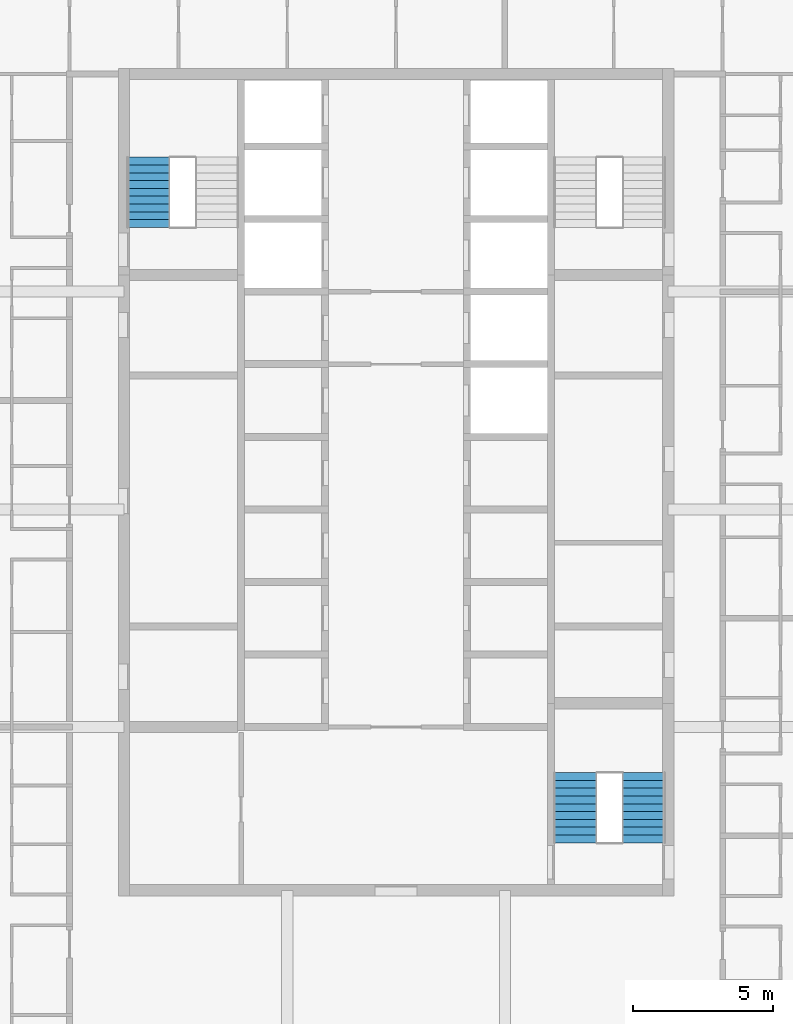
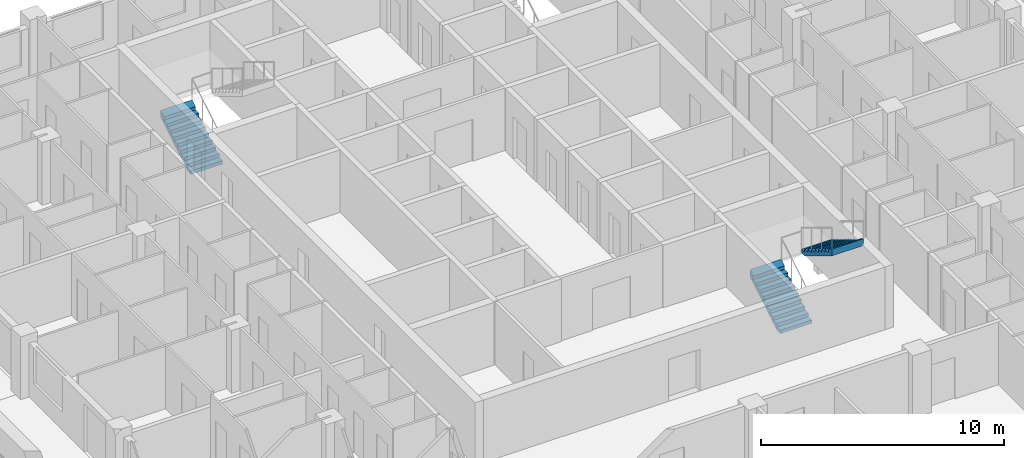
# One storey, part 13 of 16: 3 stair flights, 2 elements without a shape of their own.
"""IFC4 building model written with IfcOpenShell, lengths in metres."""

from ifc_helpers import new_model, si_unit, direction, frame, origin, place, context, subcontext, project, spatial, triangles, material, type_object, element, aggregate, save


model = new_model("IFC4")

# Units and contexts
model_context = context("Model", 3, precision=1e-05, world=origin(), true_north=direction((0.0, 1.0)))
body_context = subcontext(model_context, "Body", "Model", "MODEL_VIEW")
ifc_project = project(units=[si_unit("LENGTHUNIT", "METRE"), si_unit("AREAUNIT", "SQUARE_METRE"), si_unit("VOLUMEUNIT", "CUBIC_METRE"), si_unit("PLANEANGLEUNIT", "RADIAN"), si_unit("MASSUNIT", "GRAM", prefix="KILO")], contexts=[model_context])

# Site, building, storey
site_placement = place(None, origin())
site = spatial("IfcSite", under=ifc_project, at=site_placement, CompositionType="ELEMENT")
building_placement = place(site_placement, origin())
building = spatial("IfcBuilding", under=site, at=building_placement, Name="Ludao Terraces", CompositionType="ELEMENT")
storey_placement = place(building_placement, frame((0.0, 0.0, 214.300048828125)))
storey = spatial("IfcBuildingStorey", under=building, at=storey_placement, Name="L58", CompositionType="ELEMENT", Elevation=214.300048828125)

# Stair, stair flight
ifc_material = material(Name="Concrete C40", Category="concrete")
stair_type = type_object("IfcStairType", Name="INT Stair", PredefinedType="HALF_TURN_STAIR", material=ifc_material)
stair_1_placement = place(storey_placement, origin())
stair_1 = element("IfcStair", 1, at=stair_1_placement, inside=storey, type_object=stair_type, Name="EXIT STAIR 1", PredefinedType="HALF_TURN_STAIR")
stair_flight_type = type_object("IfcStairFlightType", Name="INT Stair flight", PredefinedType="STRAIGHT", material=ifc_material)
stair_flight_1_placement = place(storey_placement, frame((76.125, 79.0, 0.0), z_axis=(0.0, 0.0, 1.0), x_axis=(0.0, 1.0, 0.0)))
stair_flight_1 = element("IfcStairFlight", 2, at=stair_flight_1_placement, type_object=stair_flight_type, Name="ST1 flight 1", NumberOfRisers=10, NumberOfTreads=9, PredefinedType="STRAIGHT", RiserHeight=0.17, TreadLength=0.28, context=body_context, shape_type="Tessellation", body=[
    triangles([(0.0, -0.75, 0.0), (0.0, -0.5, 0.0), (0.0, -0.25, 0.0), (0.0, 0.0, 0.0), (0.0, 0.25, 0.0), (0.0, 0.5, 0.0), (0.0, 0.75, 0.0), (0.0, -0.75, 0.169921875), (0.0, -0.5, 0.169921875), (0.0, -0.25, 0.169921875), (0.0, 0.0, 0.169921875), (0.0, 0.25, 0.169921875), (0.0, 0.5, 0.169921875), (0.0, 0.75, 0.169921875), (0.280029296875, -0.75, 0.169921875), (0.280029296875, -0.5, 0.169921875), (0.280029296875, -0.25, 0.169921875), (0.280029296875, 0.0, 0.169921875), (0.280029296875, 0.25, 0.169921875), (0.280029296875, 0.5, 0.169921875), (0.280029296875, 0.75, 0.169921875), (0.280029296875, -0.75, 0.340087890625), (0.280029296875, -0.5, 0.340087890625), (0.280029296875, -0.25, 0.340087890625), (0.280029296875, 0.0, 0.340087890625), (0.280029296875, 0.25, 0.340087890625), (0.280029296875, 0.5, 0.340087890625), (0.280029296875, 0.75, 0.340087890625), (0.56005859375, -0.75, 0.340087890625), (0.56005859375, -0.5, 0.340087890625), (0.56005859375, -0.25, 0.340087890625), (0.56005859375, 0.0, 0.340087890625), (0.56005859375, 0.25, 0.340087890625), (0.56005859375, 0.5, 0.340087890625), (0.56005859375, 0.75, 0.340087890625), (0.56005859375, -0.75, 0.510009765625), (0.56005859375, -0.5, 0.510009765625), (0.56005859375, -0.25, 0.510009765625), (0.56005859375, 0.0, 0.510009765625), (0.56005859375, 0.25, 0.510009765625), (0.56005859375, 0.5, 0.510009765625), (0.56005859375, 0.75, 0.510009765625), (0.840087890625, -0.75, 0.510009765625), (0.840087890625, -0.5, 0.510009765625), (0.840087890625, -0.25, 0.510009765625), (0.840087890625, 0.0, 0.510009765625), (0.840087890625, 0.25, 0.510009765625), (0.840087890625, 0.5, 0.510009765625), (0.840087890625, 0.75, 0.510009765625), (0.840087890625, -0.75, 0.679931640625), (0.840087890625, -0.5, 0.679931640625), (0.840087890625, -0.25, 0.679931640625), (0.840087890625, 0.0, 0.679931640625), (0.840087890625, 0.25, 0.679931640625), (0.840087890625, 0.5, 0.679931640625), (0.840087890625, 0.75, 0.679931640625), (1.1201171875, -0.75, 0.679931640625), (1.1201171875, -0.5, 0.679931640625), (1.1201171875, -0.25, 0.679931640625), (1.1201171875, 0.0, 0.679931640625), (1.1201171875, 0.25, 0.679931640625), (1.1201171875, 0.5, 0.679931640625), (1.1201171875, 0.75, 0.679931640625), (1.1201171875, -0.75, 0.85009765625), (1.1201171875, -0.5, 0.85009765625), (1.1201171875, -0.25, 0.85009765625), (1.1201171875, 0.0, 0.85009765625), (1.1201171875, 0.25, 0.85009765625), (1.1201171875, 0.5, 0.85009765625), (1.1201171875, 0.75, 0.85009765625), (1.39990234375, -0.75, 0.85009765625), (1.39990234375, -0.5, 0.85009765625), (1.39990234375, -0.25, 0.85009765625), (1.39990234375, 0.0, 0.85009765625), (1.39990234375, 0.25, 0.85009765625), (1.39990234375, 0.5, 0.85009765625), (1.39990234375, 0.75, 0.85009765625), (1.39990234375, -0.75, 1.02001953125), (1.39990234375, -0.5, 1.02001953125), (1.39990234375, -0.25, 1.02001953125), (1.39990234375, 0.0, 1.02001953125), (1.39990234375, 0.25, 1.02001953125), (1.39990234375, 0.5, 1.02001953125), (1.39990234375, 0.75, 1.02001953125), (1.679931640625, -0.75, 1.02001953125), (1.679931640625, -0.5, 1.02001953125), (1.679931640625, -0.25, 1.02001953125), (1.679931640625, 0.0, 1.02001953125), (1.679931640625, 0.25, 1.02001953125), (1.679931640625, 0.5, 1.02001953125), (1.679931640625, 0.75, 1.02001953125), (1.679931640625, -0.75, 1.18994140625), (1.679931640625, -0.5, 1.18994140625), (1.679931640625, -0.25, 1.18994140625), (1.679931640625, 0.0, 1.18994140625), (1.679931640625, 0.25, 1.18994140625), (1.679931640625, 0.5, 1.18994140625), (1.679931640625, 0.75, 1.18994140625), (1.9599609375, -0.75, 1.18994140625), (1.9599609375, -0.5, 1.18994140625), (1.9599609375, -0.25, 1.18994140625), (1.9599609375, 0.0, 1.18994140625), (1.9599609375, 0.25, 1.18994140625), (1.9599609375, 0.5, 1.18994140625), (1.9599609375, 0.75, 1.18994140625), (1.9599609375, -0.75, 1.360107421875), (1.9599609375, -0.5, 1.360107421875), (1.9599609375, -0.25, 1.360107421875), (1.9599609375, 0.0, 1.360107421875), (1.9599609375, 0.25, 1.360107421875), (1.9599609375, 0.5, 1.360107421875), (1.9599609375, 0.75, 1.360107421875), (2.239990234375, -0.75, 1.360107421875), (2.239990234375, -0.5, 1.360107421875), (2.239990234375, -0.25, 1.360107421875), (2.239990234375, 0.0, 1.360107421875), (2.239990234375, 0.25, 1.360107421875), (2.239990234375, 0.5, 1.360107421875), (2.239990234375, 0.75, 1.360107421875), (2.239990234375, -0.75, 1.530029296875), (2.239990234375, -0.5, 1.530029296875), (2.239990234375, -0.25, 1.530029296875), (2.239990234375, 0.0, 1.530029296875), (2.239990234375, 0.25, 1.530029296875), (2.239990234375, 0.5, 1.530029296875), (2.239990234375, 0.75, 1.530029296875), (2.52001953125, -0.75, 1.699951171875), (2.52001953125, -0.5, 1.699951171875), (2.52001953125, -0.25, 1.699951171875), (2.52001953125, 0.0, 1.699951171875), (2.52001953125, 0.25, 1.699951171875), (2.52001953125, 0.5, 1.699951171875), (2.52001953125, 0.75, 1.699951171875), (2.52001953125, -0.75, 1.354736328125), (2.52001953125, -0.5, 1.354736328125), (2.52001953125, -0.25, 1.354736328125), (2.52001953125, 0.0, 1.354736328125), (2.52001953125, 0.25, 1.354736328125), (2.52001953125, 0.5, 1.354736328125), (2.52001953125, 0.75, 1.354736328125), (0.288818359375, -0.75, 0.0), (0.288818359375, -0.5, 0.0), (0.288818359375, -0.25, 0.0), (0.288818359375, 0.0, 0.0), (0.288818359375, 0.25, 0.0), (0.288818359375, 0.5, 0.0), (0.288818359375, 0.75, 0.0)], [[1, 141, 134], [7, 140, 147], [134, 127, 120], [140, 126, 133], [134, 120, 113], [140, 119, 126], [134, 113, 106], [140, 112, 119], [134, 106, 99], [140, 105, 112], [99, 92, 85], [105, 91, 98], [134, 99, 85], [140, 91, 105], [85, 78, 71], [91, 77, 84], [134, 85, 71], [140, 77, 91], [71, 64, 57], [77, 63, 70], [134, 71, 57], [140, 63, 77], [57, 50, 43], [63, 49, 56], [134, 57, 43], [140, 49, 63], [43, 36, 29], [49, 35, 42], [134, 43, 29], [140, 35, 49], [29, 22, 15], [35, 21, 28], [134, 29, 15], [140, 21, 35], [1, 134, 15], [7, 21, 140], [15, 8, 1], [21, 7, 14], [1, 9, 2], [1, 8, 9], [2, 10, 3], [2, 9, 10], [3, 11, 4], [3, 10, 11], [4, 12, 5], [4, 11, 12], [5, 13, 6], [5, 12, 13], [6, 14, 7], [6, 13, 14], [8, 16, 9], [8, 15, 16], [9, 17, 10], [9, 16, 17], [10, 18, 11], [10, 17, 18], [11, 19, 12], [11, 18, 19], [12, 20, 13], [12, 19, 20], [13, 21, 14], [13, 20, 21], [15, 23, 16], [15, 22, 23], [16, 24, 17], [16, 23, 24], [17, 25, 18], [17, 24, 25], [18, 26, 19], [18, 25, 26], [19, 27, 20], [19, 26, 27], [20, 28, 21], [20, 27, 28], [22, 30, 23], [22, 29, 30], [23, 31, 24], [23, 30, 31], [24, 32, 25], [24, 31, 32], [25, 33, 26], [25, 32, 33], [26, 34, 27], [26, 33, 34], [27, 35, 28], [27, 34, 35], [29, 37, 30], [29, 36, 37], [30, 38, 31], [30, 37, 38], [31, 39, 32], [31, 38, 39], [32, 40, 33], [32, 39, 40], [33, 41, 34], [33, 40, 41], [34, 42, 35], [34, 41, 42], [36, 44, 37], [36, 43, 44], [37, 45, 38], [37, 44, 45], [38, 46, 39], [38, 45, 46], [39, 47, 40], [39, 46, 47], [40, 48, 41], [40, 47, 48], [41, 49, 42], [41, 48, 49], [43, 51, 44], [43, 50, 51], [44, 52, 45], [44, 51, 52], [45, 53, 46], [45, 52, 53], [46, 54, 47], [46, 53, 54], [47, 55, 48], [47, 54, 55], [48, 56, 49], [48, 55, 56], [50, 58, 51], [50, 57, 58], [51, 59, 52], [51, 58, 59], [52, 60, 53], [52, 59, 60], [53, 61, 54], [53, 60, 61], [54, 62, 55], [54, 61, 62], [55, 63, 56], [55, 62, 63], [57, 65, 58], [57, 64, 65], [58, 66, 59], [58, 65, 66], [59, 67, 60], [59, 66, 67], [60, 68, 61], [60, 67, 68], [61, 69, 62], [61, 68, 69], [62, 70, 63], [62, 69, 70], [64, 72, 65], [64, 71, 72], [65, 73, 66], [65, 72, 73], [66, 74, 67], [66, 73, 74], [67, 75, 68], [67, 74, 75], [68, 76, 69], [68, 75, 76], [69, 77, 70], [69, 76, 77], [71, 79, 72], [71, 78, 79], [72, 80, 73], [72, 79, 80], [73, 81, 74], [73, 80, 81], [74, 82, 75], [74, 81, 82], [75, 83, 76], [75, 82, 83], [76, 84, 77], [76, 83, 84], [78, 86, 79], [78, 85, 86], [79, 87, 80], [79, 86, 87], [80, 88, 81], [80, 87, 88], [81, 89, 82], [81, 88, 89], [82, 90, 83], [82, 89, 90], [83, 91, 84], [83, 90, 91], [85, 93, 86], [85, 92, 93], [86, 94, 87], [86, 93, 94], [87, 95, 88], [87, 94, 95], [88, 96, 89], [88, 95, 96], [89, 97, 90], [89, 96, 97], [90, 98, 91], [90, 97, 98], [92, 100, 93], [92, 99, 100], [93, 101, 94], [93, 100, 101], [94, 102, 95], [94, 101, 102], [95, 103, 96], [95, 102, 103], [96, 104, 97], [96, 103, 104], [97, 105, 98], [97, 104, 105], [99, 107, 100], [99, 106, 107], [100, 108, 101], [100, 107, 108], [101, 109, 102], [101, 108, 109], [102, 110, 103], [102, 109, 110], [103, 111, 104], [103, 110, 111], [104, 112, 105], [104, 111, 112], [106, 114, 107], [106, 113, 114], [107, 115, 108], [107, 114, 115], [108, 116, 109], [108, 115, 116], [109, 117, 110], [109, 116, 117], [110, 118, 111], [110, 117, 118], [111, 119, 112], [111, 118, 119], [113, 121, 114], [113, 120, 121], [114, 122, 115], [114, 121, 122], [115, 123, 116], [115, 122, 123], [116, 124, 117], [116, 123, 124], [117, 125, 118], [117, 124, 125], [118, 126, 119], [118, 125, 126], [120, 128, 121], [120, 127, 128], [121, 129, 122], [121, 128, 129], [122, 130, 123], [122, 129, 130], [123, 131, 124], [123, 130, 131], [124, 132, 125], [124, 131, 132], [125, 133, 126], [125, 132, 133], [127, 135, 128], [127, 134, 135], [128, 136, 129], [128, 135, 136], [129, 137, 130], [129, 136, 137], [130, 138, 131], [130, 137, 138], [131, 139, 132], [131, 138, 139], [132, 140, 133], [132, 139, 140], [134, 142, 135], [134, 141, 142], [135, 143, 136], [135, 142, 143], [136, 144, 137], [136, 143, 144], [137, 145, 138], [137, 144, 145], [138, 146, 139], [138, 145, 146], [139, 147, 140], [139, 146, 147], [141, 2, 142], [141, 1, 2], [142, 3, 143], [142, 2, 3], [143, 4, 144], [143, 3, 4], [144, 5, 145], [144, 4, 5], [145, 6, 146], [145, 5, 6], [146, 7, 147], [146, 6, 7]], closed=True),
])
aggregate(stair_1, [stair_flight_1])

# Stair, stair flights
stair_2_placement = place(storey_placement, origin())
stair_2 = element("IfcStair", 3, at=stair_2_placement, inside=storey, type_object=stair_type, Name="EXIT STAIR 3", PredefinedType="HALF_TURN_STAIR")
stair_flight_2_placement = place(storey_placement, frame((91.425048828125, 56.949951171875, 0.0), z_axis=(0.0, 0.0, 1.0), x_axis=(0.0, 1.0, 0.0)))
stair_flight_2 = element("IfcStairFlight", 4, at=stair_flight_2_placement, type_object=stair_flight_type, Name="ST3 flight 1", NumberOfRisers=10, NumberOfTreads=9, PredefinedType="STRAIGHT", RiserHeight=0.17, TreadLength=0.28, context=body_context, shape_type="Tessellation", body=[
    triangles([(0.0, -0.75, 0.0), (0.0, -0.5, 0.0), (0.0, -0.25, 0.0), (0.0, 0.0, 0.0), (0.0, 0.25, 0.0), (0.0, 0.5, 0.0), (0.0, 0.75, 0.0), (0.0, -0.75, 0.169921875), (0.0, -0.5, 0.169921875), (0.0, -0.25, 0.169921875), (0.0, 0.0, 0.169921875), (0.0, 0.25, 0.169921875), (0.0, 0.5, 0.169921875), (0.0, 0.75, 0.169921875), (0.280029296875, -0.75, 0.169921875), (0.280029296875, -0.5, 0.169921875), (0.280029296875, -0.25, 0.169921875), (0.280029296875, 0.0, 0.169921875), (0.280029296875, 0.25, 0.169921875), (0.280029296875, 0.5, 0.169921875), (0.280029296875, 0.75, 0.169921875), (0.280029296875, -0.75, 0.340087890625), (0.280029296875, -0.5, 0.340087890625), (0.280029296875, -0.25, 0.340087890625), (0.280029296875, 0.0, 0.340087890625), (0.280029296875, 0.25, 0.340087890625), (0.280029296875, 0.5, 0.340087890625), (0.280029296875, 0.75, 0.340087890625), (0.56005859375, -0.75, 0.340087890625), (0.56005859375, -0.5, 0.340087890625), (0.56005859375, -0.25, 0.340087890625), (0.56005859375, 0.0, 0.340087890625), (0.56005859375, 0.25, 0.340087890625), (0.56005859375, 0.5, 0.340087890625), (0.56005859375, 0.75, 0.340087890625), (0.56005859375, -0.75, 0.510009765625), (0.56005859375, -0.5, 0.510009765625), (0.56005859375, -0.25, 0.510009765625), (0.56005859375, 0.0, 0.510009765625), (0.56005859375, 0.25, 0.510009765625), (0.56005859375, 0.5, 0.510009765625), (0.56005859375, 0.75, 0.510009765625), (0.840087890625, -0.75, 0.510009765625), (0.840087890625, -0.5, 0.510009765625), (0.840087890625, -0.25, 0.510009765625), (0.840087890625, 0.0, 0.510009765625), (0.840087890625, 0.25, 0.510009765625), (0.840087890625, 0.5, 0.510009765625), (0.840087890625, 0.75, 0.510009765625), (0.840087890625, -0.75, 0.679931640625), (0.840087890625, -0.5, 0.679931640625), (0.840087890625, -0.25, 0.679931640625), (0.840087890625, 0.0, 0.679931640625), (0.840087890625, 0.25, 0.679931640625), (0.840087890625, 0.5, 0.679931640625), (0.840087890625, 0.75, 0.679931640625), (1.1201171875, -0.75, 0.679931640625), (1.1201171875, -0.5, 0.679931640625), (1.1201171875, -0.25, 0.679931640625), (1.1201171875, 0.0, 0.679931640625), (1.1201171875, 0.25, 0.679931640625), (1.1201171875, 0.5, 0.679931640625), (1.1201171875, 0.75, 0.679931640625), (1.1201171875, -0.75, 0.85009765625), (1.1201171875, -0.5, 0.85009765625), (1.1201171875, -0.25, 0.85009765625), (1.1201171875, 0.0, 0.85009765625), (1.1201171875, 0.25, 0.85009765625), (1.1201171875, 0.5, 0.85009765625), (1.1201171875, 0.75, 0.85009765625), (1.39990234375, -0.75, 0.85009765625), (1.39990234375, -0.5, 0.85009765625), (1.39990234375, -0.25, 0.85009765625), (1.39990234375, 0.0, 0.85009765625), (1.39990234375, 0.25, 0.85009765625), (1.39990234375, 0.5, 0.85009765625), (1.39990234375, 0.75, 0.85009765625), (1.39990234375, -0.75, 1.02001953125), (1.39990234375, -0.5, 1.02001953125), (1.39990234375, -0.25, 1.02001953125), (1.39990234375, 0.0, 1.02001953125), (1.39990234375, 0.25, 1.02001953125), (1.39990234375, 0.5, 1.02001953125), (1.39990234375, 0.75, 1.02001953125), (1.679931640625, -0.75, 1.02001953125), (1.679931640625, -0.5, 1.02001953125), (1.679931640625, -0.25, 1.02001953125), (1.679931640625, 0.0, 1.02001953125), (1.679931640625, 0.25, 1.02001953125), (1.679931640625, 0.5, 1.02001953125), (1.679931640625, 0.75, 1.02001953125), (1.679931640625, -0.75, 1.18994140625), (1.679931640625, -0.5, 1.18994140625), (1.679931640625, -0.25, 1.18994140625), (1.679931640625, 0.0, 1.18994140625), (1.679931640625, 0.25, 1.18994140625), (1.679931640625, 0.5, 1.18994140625), (1.679931640625, 0.75, 1.18994140625), (1.9599609375, -0.75, 1.18994140625), (1.9599609375, -0.5, 1.18994140625), (1.9599609375, -0.25, 1.18994140625), (1.9599609375, 0.0, 1.18994140625), (1.9599609375, 0.25, 1.18994140625), (1.9599609375, 0.5, 1.18994140625), (1.9599609375, 0.75, 1.18994140625), (1.9599609375, -0.75, 1.360107421875), (1.9599609375, -0.5, 1.360107421875), (1.9599609375, -0.25, 1.360107421875), (1.9599609375, 0.0, 1.360107421875), (1.9599609375, 0.25, 1.360107421875), (1.9599609375, 0.5, 1.360107421875), (1.9599609375, 0.75, 1.360107421875), (2.239990234375, -0.75, 1.360107421875), (2.239990234375, -0.5, 1.360107421875), (2.239990234375, -0.25, 1.360107421875), (2.239990234375, 0.0, 1.360107421875), (2.239990234375, 0.25, 1.360107421875), (2.239990234375, 0.5, 1.360107421875), (2.239990234375, 0.75, 1.360107421875), (2.239990234375, -0.75, 1.530029296875), (2.239990234375, -0.5, 1.530029296875), (2.239990234375, -0.25, 1.530029296875), (2.239990234375, 0.0, 1.530029296875), (2.239990234375, 0.25, 1.530029296875), (2.239990234375, 0.5, 1.530029296875), (2.239990234375, 0.75, 1.530029296875), (2.52001953125, -0.75, 1.699951171875), (2.52001953125, -0.5, 1.699951171875), (2.52001953125, -0.25, 1.699951171875), (2.52001953125, 0.0, 1.699951171875), (2.52001953125, 0.25, 1.699951171875), (2.52001953125, 0.5, 1.699951171875), (2.52001953125, 0.75, 1.699951171875), (2.52001953125, -0.75, 1.354736328125), (2.52001953125, -0.5, 1.354736328125), (2.52001953125, -0.25, 1.354736328125), (2.52001953125, 0.0, 1.354736328125), (2.52001953125, 0.25, 1.354736328125), (2.52001953125, 0.5, 1.354736328125), (2.52001953125, 0.75, 1.354736328125), (0.288818359375, -0.75, 0.0), (0.288818359375, -0.5, 0.0), (0.288818359375, -0.25, 0.0), (0.288818359375, 0.0, 0.0), (0.288818359375, 0.25, 0.0), (0.288818359375, 0.5, 0.0), (0.288818359375, 0.75, 0.0)], [[1, 141, 134], [7, 140, 147], [134, 127, 120], [140, 126, 133], [134, 120, 113], [140, 119, 126], [134, 113, 106], [140, 112, 119], [134, 106, 99], [140, 105, 112], [99, 92, 85], [105, 91, 98], [134, 99, 85], [140, 91, 105], [85, 78, 71], [91, 77, 84], [134, 85, 71], [140, 77, 91], [71, 64, 57], [77, 63, 70], [134, 71, 57], [140, 63, 77], [57, 50, 43], [63, 49, 56], [134, 57, 43], [140, 49, 63], [43, 36, 29], [49, 35, 42], [134, 43, 29], [140, 35, 49], [29, 22, 15], [35, 21, 28], [134, 29, 15], [140, 21, 35], [1, 134, 15], [7, 21, 140], [15, 8, 1], [21, 7, 14], [1, 9, 2], [1, 8, 9], [2, 10, 3], [2, 9, 10], [3, 11, 4], [3, 10, 11], [4, 12, 5], [4, 11, 12], [5, 13, 6], [5, 12, 13], [6, 14, 7], [6, 13, 14], [8, 16, 9], [8, 15, 16], [9, 17, 10], [9, 16, 17], [10, 18, 11], [10, 17, 18], [11, 19, 12], [11, 18, 19], [12, 20, 13], [12, 19, 20], [13, 21, 14], [13, 20, 21], [15, 23, 16], [15, 22, 23], [16, 24, 17], [16, 23, 24], [17, 25, 18], [17, 24, 25], [18, 26, 19], [18, 25, 26], [19, 27, 20], [19, 26, 27], [20, 28, 21], [20, 27, 28], [22, 30, 23], [22, 29, 30], [23, 31, 24], [23, 30, 31], [24, 32, 25], [24, 31, 32], [25, 33, 26], [25, 32, 33], [26, 34, 27], [26, 33, 34], [27, 35, 28], [27, 34, 35], [29, 37, 30], [29, 36, 37], [30, 38, 31], [30, 37, 38], [31, 39, 32], [31, 38, 39], [32, 40, 33], [32, 39, 40], [33, 41, 34], [33, 40, 41], [34, 42, 35], [34, 41, 42], [36, 44, 37], [36, 43, 44], [37, 45, 38], [37, 44, 45], [38, 46, 39], [38, 45, 46], [39, 47, 40], [39, 46, 47], [40, 48, 41], [40, 47, 48], [41, 49, 42], [41, 48, 49], [43, 51, 44], [43, 50, 51], [44, 52, 45], [44, 51, 52], [45, 53, 46], [45, 52, 53], [46, 54, 47], [46, 53, 54], [47, 55, 48], [47, 54, 55], [48, 56, 49], [48, 55, 56], [50, 58, 51], [50, 57, 58], [51, 59, 52], [51, 58, 59], [52, 60, 53], [52, 59, 60], [53, 61, 54], [53, 60, 61], [54, 62, 55], [54, 61, 62], [55, 63, 56], [55, 62, 63], [57, 65, 58], [57, 64, 65], [58, 66, 59], [58, 65, 66], [59, 67, 60], [59, 66, 67], [60, 68, 61], [60, 67, 68], [61, 69, 62], [61, 68, 69], [62, 70, 63], [62, 69, 70], [64, 72, 65], [64, 71, 72], [65, 73, 66], [65, 72, 73], [66, 74, 67], [66, 73, 74], [67, 75, 68], [67, 74, 75], [68, 76, 69], [68, 75, 76], [69, 77, 70], [69, 76, 77], [71, 79, 72], [71, 78, 79], [72, 80, 73], [72, 79, 80], [73, 81, 74], [73, 80, 81], [74, 82, 75], [74, 81, 82], [75, 83, 76], [75, 82, 83], [76, 84, 77], [76, 83, 84], [78, 86, 79], [78, 85, 86], [79, 87, 80], [79, 86, 87], [80, 88, 81], [80, 87, 88], [81, 89, 82], [81, 88, 89], [82, 90, 83], [82, 89, 90], [83, 91, 84], [83, 90, 91], [85, 93, 86], [85, 92, 93], [86, 94, 87], [86, 93, 94], [87, 95, 88], [87, 94, 95], [88, 96, 89], [88, 95, 96], [89, 97, 90], [89, 96, 97], [90, 98, 91], [90, 97, 98], [92, 100, 93], [92, 99, 100], [93, 101, 94], [93, 100, 101], [94, 102, 95], [94, 101, 102], [95, 103, 96], [95, 102, 103], [96, 104, 97], [96, 103, 104], [97, 105, 98], [97, 104, 105], [99, 107, 100], [99, 106, 107], [100, 108, 101], [100, 107, 108], [101, 109, 102], [101, 108, 109], [102, 110, 103], [102, 109, 110], [103, 111, 104], [103, 110, 111], [104, 112, 105], [104, 111, 112], [106, 114, 107], [106, 113, 114], [107, 115, 108], [107, 114, 115], [108, 116, 109], [108, 115, 116], [109, 117, 110], [109, 116, 117], [110, 118, 111], [110, 117, 118], [111, 119, 112], [111, 118, 119], [113, 121, 114], [113, 120, 121], [114, 122, 115], [114, 121, 122], [115, 123, 116], [115, 122, 123], [116, 124, 117], [116, 123, 124], [117, 125, 118], [117, 124, 125], [118, 126, 119], [118, 125, 126], [120, 128, 121], [120, 127, 128], [121, 129, 122], [121, 128, 129], [122, 130, 123], [122, 129, 130], [123, 131, 124], [123, 130, 131], [124, 132, 125], [124, 131, 132], [125, 133, 126], [125, 132, 133], [127, 135, 128], [127, 134, 135], [128, 136, 129], [128, 135, 136], [129, 137, 130], [129, 136, 137], [130, 138, 131], [130, 137, 138], [131, 139, 132], [131, 138, 139], [132, 140, 133], [132, 139, 140], [134, 142, 135], [134, 141, 142], [135, 143, 136], [135, 142, 143], [136, 144, 137], [136, 143, 144], [137, 145, 138], [137, 144, 145], [138, 146, 139], [138, 145, 146], [139, 147, 140], [139, 146, 147], [141, 2, 142], [141, 1, 2], [142, 3, 143], [142, 2, 3], [143, 4, 144], [143, 3, 4], [144, 5, 145], [144, 4, 5], [145, 6, 146], [145, 5, 6], [146, 7, 147], [146, 6, 7]], closed=True),
])
stair_flight_3_placement = place(storey_placement, frame((93.875, 59.469970703125, 1.699951171875), z_axis=(0.0, 0.0, 1.0), x_axis=(0.0, -1.0, 0.0)))
stair_flight_3 = element("IfcStairFlight", 5, at=stair_flight_3_placement, type_object=stair_flight_type, Name="ST3 flight 2", NumberOfRisers=10, NumberOfTreads=9, PredefinedType="STRAIGHT", RiserHeight=0.17, TreadLength=0.28, context=body_context, shape_type="Tessellation", body=[
    triangles([(0.0, -0.75, 0.0), (0.0, -0.5, 0.0), (0.0, -0.25, 0.0), (0.0, 0.0, 0.0), (0.0, 0.25, 0.0), (0.0, 0.5, 0.0), (0.0, 0.75, 0.0), (0.0, -0.75, 0.169921875), (0.0, -0.5, 0.169921875), (0.0, -0.25, 0.169921875), (0.0, 0.0, 0.169921875), (0.0, 0.25, 0.169921875), (0.0, 0.5, 0.169921875), (0.0, 0.75, 0.169921875), (0.280029296875, -0.75, 0.169921875), (0.280029296875, -0.5, 0.169921875), (0.280029296875, -0.25, 0.169921875), (0.280029296875, 0.0, 0.169921875), (0.280029296875, 0.25, 0.169921875), (0.280029296875, 0.5, 0.169921875), (0.280029296875, 0.75, 0.169921875), (0.280029296875, -0.75, 0.340087890625), (0.280029296875, -0.5, 0.340087890625), (0.280029296875, -0.25, 0.340087890625), (0.280029296875, 0.0, 0.340087890625), (0.280029296875, 0.25, 0.340087890625), (0.280029296875, 0.5, 0.340087890625), (0.280029296875, 0.75, 0.340087890625), (0.56005859375, -0.75, 0.340087890625), (0.56005859375, -0.5, 0.340087890625), (0.56005859375, -0.25, 0.340087890625), (0.56005859375, 0.0, 0.340087890625), (0.56005859375, 0.25, 0.340087890625), (0.56005859375, 0.5, 0.340087890625), (0.56005859375, 0.75, 0.340087890625), (0.56005859375, -0.75, 0.510009765625), (0.56005859375, -0.5, 0.510009765625), (0.56005859375, -0.25, 0.510009765625), (0.56005859375, 0.0, 0.510009765625), (0.56005859375, 0.25, 0.510009765625), (0.56005859375, 0.5, 0.510009765625), (0.56005859375, 0.75, 0.510009765625), (0.840087890625, -0.75, 0.510009765625), (0.840087890625, -0.5, 0.510009765625), (0.840087890625, -0.25, 0.510009765625), (0.840087890625, 0.0, 0.510009765625), (0.840087890625, 0.25, 0.510009765625), (0.840087890625, 0.5, 0.510009765625), (0.840087890625, 0.75, 0.510009765625), (0.840087890625, -0.75, 0.679931640625), (0.840087890625, -0.5, 0.679931640625), (0.840087890625, -0.25, 0.679931640625), (0.840087890625, 0.0, 0.679931640625), (0.840087890625, 0.25, 0.679931640625), (0.840087890625, 0.5, 0.679931640625), (0.840087890625, 0.75, 0.679931640625), (1.1201171875, -0.75, 0.679931640625), (1.1201171875, -0.5, 0.679931640625), (1.1201171875, -0.25, 0.679931640625), (1.1201171875, 0.0, 0.679931640625), (1.1201171875, 0.25, 0.679931640625), (1.1201171875, 0.5, 0.679931640625), (1.1201171875, 0.75, 0.679931640625), (1.1201171875, -0.75, 0.85009765625), (1.1201171875, -0.5, 0.85009765625), (1.1201171875, -0.25, 0.85009765625), (1.1201171875, 0.0, 0.85009765625), (1.1201171875, 0.25, 0.85009765625), (1.1201171875, 0.5, 0.85009765625), (1.1201171875, 0.75, 0.85009765625), (1.39990234375, -0.75, 0.85009765625), (1.39990234375, -0.5, 0.85009765625), (1.39990234375, -0.25, 0.85009765625), (1.39990234375, 0.0, 0.85009765625), (1.39990234375, 0.25, 0.85009765625), (1.39990234375, 0.5, 0.85009765625), (1.39990234375, 0.75, 0.85009765625), (1.39990234375, -0.75, 1.02001953125), (1.39990234375, -0.5, 1.02001953125), (1.39990234375, -0.25, 1.02001953125), (1.39990234375, 0.0, 1.02001953125), (1.39990234375, 0.25, 1.02001953125), (1.39990234375, 0.5, 1.02001953125), (1.39990234375, 0.75, 1.02001953125), (1.679931640625, -0.75, 1.02001953125), (1.679931640625, -0.5, 1.02001953125), (1.679931640625, -0.25, 1.02001953125), (1.679931640625, 0.0, 1.02001953125), (1.679931640625, 0.25, 1.02001953125), (1.679931640625, 0.5, 1.02001953125), (1.679931640625, 0.75, 1.02001953125), (1.679931640625, -0.75, 1.18994140625), (1.679931640625, -0.5, 1.18994140625), (1.679931640625, -0.25, 1.18994140625), (1.679931640625, 0.0, 1.18994140625), (1.679931640625, 0.25, 1.18994140625), (1.679931640625, 0.5, 1.18994140625), (1.679931640625, 0.75, 1.18994140625), (1.9599609375, -0.75, 1.18994140625), (1.9599609375, -0.5, 1.18994140625), (1.9599609375, -0.25, 1.18994140625), (1.9599609375, 0.0, 1.18994140625), (1.9599609375, 0.25, 1.18994140625), (1.9599609375, 0.5, 1.18994140625), (1.9599609375, 0.75, 1.18994140625), (1.9599609375, -0.75, 1.360107421875), (1.9599609375, -0.5, 1.360107421875), (1.9599609375, -0.25, 1.360107421875), (1.9599609375, 0.0, 1.360107421875), (1.9599609375, 0.25, 1.360107421875), (1.9599609375, 0.5, 1.360107421875), (1.9599609375, 0.75, 1.360107421875), (2.239990234375, -0.75, 1.360107421875), (2.239990234375, -0.5, 1.360107421875), (2.239990234375, -0.25, 1.360107421875), (2.239990234375, 0.0, 1.360107421875), (2.239990234375, 0.25, 1.360107421875), (2.239990234375, 0.5, 1.360107421875), (2.239990234375, 0.75, 1.360107421875), (2.239990234375, -0.75, 1.530029296875), (2.239990234375, -0.5, 1.530029296875), (2.239990234375, -0.25, 1.530029296875), (2.239990234375, 0.0, 1.530029296875), (2.239990234375, 0.25, 1.530029296875), (2.239990234375, 0.5, 1.530029296875), (2.239990234375, 0.75, 1.530029296875), (2.52001953125, -0.75, 1.699951171875), (2.52001953125, -0.5, 1.699951171875), (2.52001953125, -0.25, 1.699951171875), (2.52001953125, 0.0, 1.699951171875), (2.52001953125, 0.25, 1.699951171875), (2.52001953125, 0.5, 1.699951171875), (2.52001953125, 0.75, 1.699951171875), (2.52001953125, -0.75, 1.354736328125), (2.52001953125, -0.5, 1.354736328125), (2.52001953125, -0.25, 1.354736328125), (2.52001953125, 0.0, 1.354736328125), (2.52001953125, 0.25, 1.354736328125), (2.52001953125, 0.5, 1.354736328125), (2.52001953125, 0.75, 1.354736328125), (0.288818359375, -0.75, 0.0), (0.288818359375, -0.5, 0.0), (0.288818359375, -0.25, 0.0), (0.288818359375, 0.0, 0.0), (0.288818359375, 0.25, 0.0), (0.288818359375, 0.5, 0.0), (0.288818359375, 0.75, 0.0)], [[1, 141, 134], [7, 140, 147], [134, 127, 120], [140, 126, 133], [134, 120, 113], [140, 119, 126], [134, 113, 106], [140, 112, 119], [134, 106, 99], [140, 105, 112], [99, 92, 85], [105, 91, 98], [134, 99, 85], [140, 91, 105], [85, 78, 71], [91, 77, 84], [134, 85, 71], [140, 77, 91], [71, 64, 57], [77, 63, 70], [134, 71, 57], [140, 63, 77], [57, 50, 43], [63, 49, 56], [134, 57, 43], [140, 49, 63], [43, 36, 29], [49, 35, 42], [134, 43, 29], [140, 35, 49], [29, 22, 15], [35, 21, 28], [134, 29, 15], [140, 21, 35], [1, 134, 15], [7, 21, 140], [15, 8, 1], [21, 7, 14], [1, 9, 2], [1, 8, 9], [2, 10, 3], [2, 9, 10], [3, 11, 4], [3, 10, 11], [4, 12, 5], [4, 11, 12], [5, 13, 6], [5, 12, 13], [6, 14, 7], [6, 13, 14], [8, 16, 9], [8, 15, 16], [9, 17, 10], [9, 16, 17], [10, 18, 11], [10, 17, 18], [11, 19, 12], [11, 18, 19], [12, 20, 13], [12, 19, 20], [13, 21, 14], [13, 20, 21], [15, 23, 16], [15, 22, 23], [16, 24, 17], [16, 23, 24], [17, 25, 18], [17, 24, 25], [18, 26, 19], [18, 25, 26], [19, 27, 20], [19, 26, 27], [20, 28, 21], [20, 27, 28], [22, 30, 23], [22, 29, 30], [23, 31, 24], [23, 30, 31], [24, 32, 25], [24, 31, 32], [25, 33, 26], [25, 32, 33], [26, 34, 27], [26, 33, 34], [27, 35, 28], [27, 34, 35], [29, 37, 30], [29, 36, 37], [30, 38, 31], [30, 37, 38], [31, 39, 32], [31, 38, 39], [32, 40, 33], [32, 39, 40], [33, 41, 34], [33, 40, 41], [34, 42, 35], [34, 41, 42], [36, 44, 37], [36, 43, 44], [37, 45, 38], [37, 44, 45], [38, 46, 39], [38, 45, 46], [39, 47, 40], [39, 46, 47], [40, 48, 41], [40, 47, 48], [41, 49, 42], [41, 48, 49], [43, 51, 44], [43, 50, 51], [44, 52, 45], [44, 51, 52], [45, 53, 46], [45, 52, 53], [46, 54, 47], [46, 53, 54], [47, 55, 48], [47, 54, 55], [48, 56, 49], [48, 55, 56], [50, 58, 51], [50, 57, 58], [51, 59, 52], [51, 58, 59], [52, 60, 53], [52, 59, 60], [53, 61, 54], [53, 60, 61], [54, 62, 55], [54, 61, 62], [55, 63, 56], [55, 62, 63], [57, 65, 58], [57, 64, 65], [58, 66, 59], [58, 65, 66], [59, 67, 60], [59, 66, 67], [60, 68, 61], [60, 67, 68], [61, 69, 62], [61, 68, 69], [62, 70, 63], [62, 69, 70], [64, 72, 65], [64, 71, 72], [65, 73, 66], [65, 72, 73], [66, 74, 67], [66, 73, 74], [67, 75, 68], [67, 74, 75], [68, 76, 69], [68, 75, 76], [69, 77, 70], [69, 76, 77], [71, 79, 72], [71, 78, 79], [72, 80, 73], [72, 79, 80], [73, 81, 74], [73, 80, 81], [74, 82, 75], [74, 81, 82], [75, 83, 76], [75, 82, 83], [76, 84, 77], [76, 83, 84], [78, 86, 79], [78, 85, 86], [79, 87, 80], [79, 86, 87], [80, 88, 81], [80, 87, 88], [81, 89, 82], [81, 88, 89], [82, 90, 83], [82, 89, 90], [83, 91, 84], [83, 90, 91], [85, 93, 86], [85, 92, 93], [86, 94, 87], [86, 93, 94], [87, 95, 88], [87, 94, 95], [88, 96, 89], [88, 95, 96], [89, 97, 90], [89, 96, 97], [90, 98, 91], [90, 97, 98], [92, 100, 93], [92, 99, 100], [93, 101, 94], [93, 100, 101], [94, 102, 95], [94, 101, 102], [95, 103, 96], [95, 102, 103], [96, 104, 97], [96, 103, 104], [97, 105, 98], [97, 104, 105], [99, 107, 100], [99, 106, 107], [100, 108, 101], [100, 107, 108], [101, 109, 102], [101, 108, 109], [102, 110, 103], [102, 109, 110], [103, 111, 104], [103, 110, 111], [104, 112, 105], [104, 111, 112], [106, 114, 107], [106, 113, 114], [107, 115, 108], [107, 114, 115], [108, 116, 109], [108, 115, 116], [109, 117, 110], [109, 116, 117], [110, 118, 111], [110, 117, 118], [111, 119, 112], [111, 118, 119], [113, 121, 114], [113, 120, 121], [114, 122, 115], [114, 121, 122], [115, 123, 116], [115, 122, 123], [116, 124, 117], [116, 123, 124], [117, 125, 118], [117, 124, 125], [118, 126, 119], [118, 125, 126], [120, 128, 121], [120, 127, 128], [121, 129, 122], [121, 128, 129], [122, 130, 123], [122, 129, 130], [123, 131, 124], [123, 130, 131], [124, 132, 125], [124, 131, 132], [125, 133, 126], [125, 132, 133], [127, 135, 128], [127, 134, 135], [128, 136, 129], [128, 135, 136], [129, 137, 130], [129, 136, 137], [130, 138, 131], [130, 137, 138], [131, 139, 132], [131, 138, 139], [132, 140, 133], [132, 139, 140], [134, 142, 135], [134, 141, 142], [135, 143, 136], [135, 142, 143], [136, 144, 137], [136, 143, 144], [137, 145, 138], [137, 144, 145], [138, 146, 139], [138, 145, 146], [139, 147, 140], [139, 146, 147], [141, 2, 142], [141, 1, 2], [142, 3, 143], [142, 2, 3], [143, 4, 144], [143, 3, 4], [144, 5, 145], [144, 4, 5], [145, 6, 146], [145, 5, 6], [146, 7, 147], [146, 6, 7]], closed=True),
])
aggregate(stair_2, [stair_flight_2, stair_flight_3])

save(model, "model.ifc")
